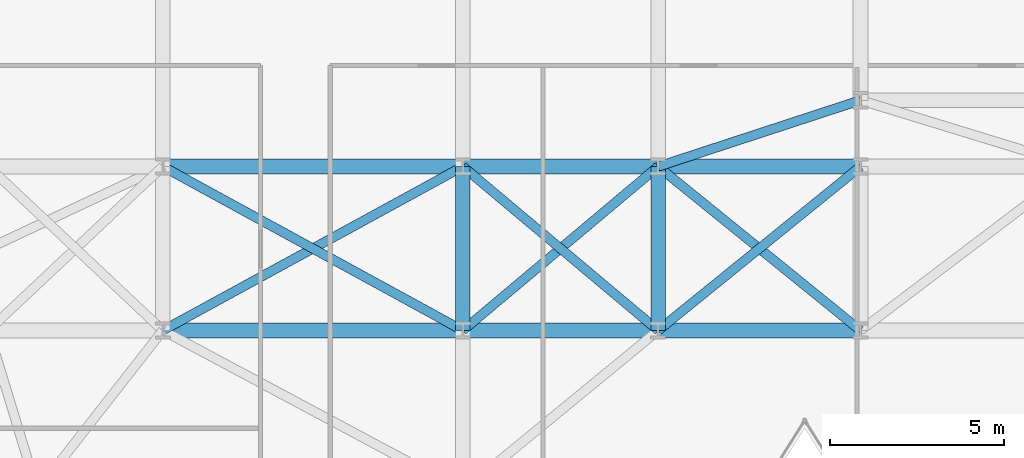
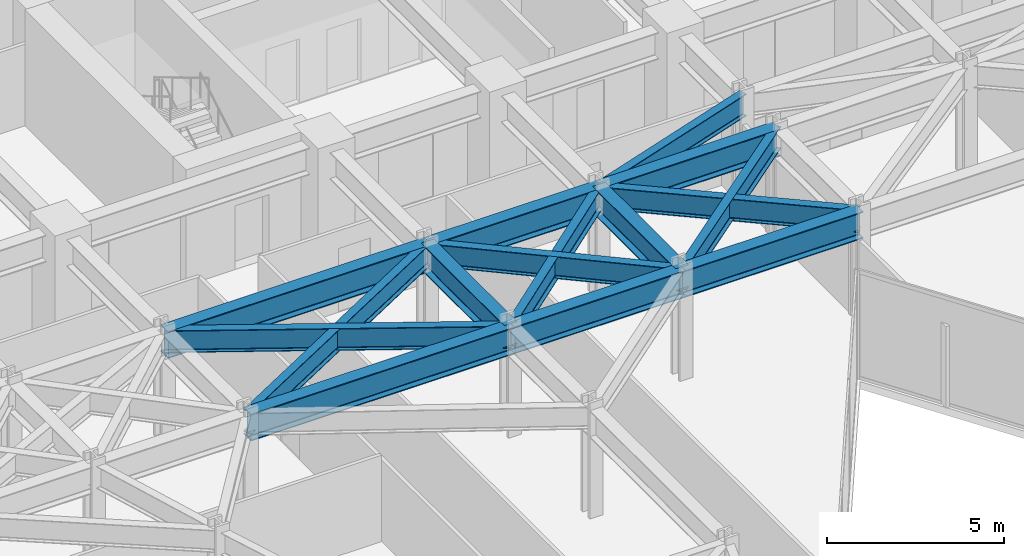
# One storey, part 11 of 25: 15 beams.
"""IFC4 building model written with IfcOpenShell, lengths in metres."""

from ifc_helpers import new_model, si_unit, direction, frame, origin, origin_2d, place, context, subcontext, project, spatial, i_section, extrude, material, material_profile, profile_set, type_object, element, save


model = new_model("IFC4")

# Units and contexts
model_context = context("Model", 3, precision=1e-05, world=origin(), true_north=direction((0.0, 1.0)))
body_context = subcontext(model_context, "Body", "Model", "MODEL_VIEW")
ifc_project = project(units=[si_unit("LENGTHUNIT", "METRE"), si_unit("AREAUNIT", "SQUARE_METRE"), si_unit("VOLUMEUNIT", "CUBIC_METRE"), si_unit("PLANEANGLEUNIT", "RADIAN"), si_unit("MASSUNIT", "GRAM", prefix="KILO")], contexts=[model_context])

# Site, building, storey
site_placement = place(None, origin())
site = spatial("IfcSite", under=ifc_project, at=site_placement, CompositionType="ELEMENT")
building_placement = place(site_placement, origin())
building = spatial("IfcBuilding", under=site, at=building_placement, Name="Kravanh Interchange Tower", CompositionType="ELEMENT")
storey_placement = place(building_placement, frame((0.0, 0.0, 73.5)))
storey = spatial("IfcBuildingStorey", under=building, at=storey_placement, Name="L17", CompositionType="ELEMENT", Elevation=73.5)

# Beams
ifc_material_1 = material(Name="Structural Steel S355", Category="steel")
ifc_material_profile_1 = material_profile(ifc_material_1, i_section(OverallWidth=0.41796875, OverallDepth=0.927001953125, WebThickness=0.019287109375, FlangeThickness=0.031982421875, FilletRadius=0.028076171875, at=origin_2d()), Name="W36X231")
ifc_profile_set_1 = profile_set([ifc_material_profile_1], Name="Structural Steel S355")
beam_type_1 = type_object("IfcBeamType", Name="Floor Beam W36X231 Structural Steel S355", PredefinedType="BEAM", material=ifc_profile_set_1)
beam_1_placement = place(storey_placement, frame((18.60009765625, 26.800048828125, 3.276611328125), z_axis=(1.0, 0.0, 0.0), x_axis=(0.0, 1.0, 0.0)))
element("IfcBeam", 1, at=beam_1_placement, inside=storey, type_object=beam_type_1, Name="L17 Primary Floor Girder 76", PredefinedType="BEAM", context=body_context, shape_type="SweptSolid", body=[
    extrude(i_section(OverallWidth=0.41796875, OverallDepth=0.927001953125, WebThickness=0.019287109375, FlangeThickness=0.031982421875, FilletRadius=0.028076171875, at=origin_2d()), origin(), (0.0, 0.0, 1.0), 8.599853515625),
])
beam_2_placement = place(storey_placement, frame((27.199951171875, 26.800048828125, 3.276611328125), z_axis=(0.0, 1.0, 0.0), x_axis=(-1.0, 0.0, 0.0)))
element("IfcBeam", 2, at=beam_2_placement, inside=storey, type_object=beam_type_1, Name="L17 Primary Floor Girder 78", PredefinedType="BEAM", context=body_context, shape_type="SweptSolid", body=[
    extrude(i_section(OverallWidth=0.41796875, OverallDepth=0.927001953125, WebThickness=0.019287109375, FlangeThickness=0.031982421875, FilletRadius=0.028076171875, at=origin_2d()), origin(), (0.0, 0.0, 1.0), 4.699951171875),
])
beam_3_placement = place(storey_placement, frame((27.199951171875, 26.800048828125, 3.276611328125), z_axis=(1.0, 0.0, 0.0), x_axis=(0.0, 1.0, 0.0)))
element("IfcBeam", 3, at=beam_3_placement, inside=storey, type_object=beam_type_1, Name="L17 Primary Floor Girder 79", PredefinedType="BEAM", context=body_context, shape_type="SweptSolid", body=[
    extrude(i_section(OverallWidth=0.41796875, OverallDepth=0.927001953125, WebThickness=0.019287109375, FlangeThickness=0.031982421875, FilletRadius=0.028076171875, at=origin_2d()), origin(), (0.0, 0.0, 1.0), 5.60009765625),
])
beam_4_placement = place(storey_placement, frame((32.800048828125, 26.800048828125, 3.276611328125), z_axis=(0.0, 1.0, 0.0), x_axis=(-1.0, 0.0, 0.0)))
element("IfcBeam", 4, at=beam_4_placement, inside=storey, type_object=beam_type_1, Name="L17 Primary Floor Girder 82", PredefinedType="BEAM", context=body_context, shape_type="SweptSolid", body=[
    extrude(i_section(OverallWidth=0.41796875, OverallDepth=0.927001953125, WebThickness=0.019287109375, FlangeThickness=0.031982421875, FilletRadius=0.028076171875, at=origin_2d()), origin(), (0.0, 0.0, 1.0), 4.699951171875),
])
beam_5_placement = place(storey_placement, frame((32.800048828125, 26.800048828125, 3.276611328125), z_axis=(1.0, 0.0, 0.0), x_axis=(0.0, 1.0, 0.0)))
element("IfcBeam", 5, at=beam_5_placement, inside=storey, type_object=beam_type_1, Name="L17 Primary Floor Girder 83", PredefinedType="BEAM", context=body_context, shape_type="SweptSolid", body=[
    extrude(i_section(OverallWidth=0.41796875, OverallDepth=0.927001953125, WebThickness=0.019287109375, FlangeThickness=0.031982421875, FilletRadius=0.028076171875, at=origin_2d()), origin(), (0.0, 0.0, 1.0), 5.800048828125),
])
beam_6_placement = place(storey_placement, frame((18.60009765625, 31.5, 3.276611328125), z_axis=(1.0, 0.0, 0.0), x_axis=(0.0, 1.0, 0.0)))
element("IfcBeam", 6, at=beam_6_placement, inside=storey, type_object=beam_type_1, Name="L17 Primary Floor Girder 106", PredefinedType="BEAM", context=body_context, shape_type="SweptSolid", body=[
    extrude(i_section(OverallWidth=0.41796875, OverallDepth=0.927001953125, WebThickness=0.019287109375, FlangeThickness=0.031982421875, FilletRadius=0.028076171875, at=origin_2d()), origin(), (0.0, 0.0, 1.0), 8.599853515625),
])
beam_7_placement = place(storey_placement, frame((27.199951171875, 31.5, 3.276611328125), z_axis=(1.0, 0.0, 0.0), x_axis=(0.0, 1.0, 0.0)))
element("IfcBeam", 7, at=beam_7_placement, inside=storey, type_object=beam_type_1, Name="L17 Primary Floor Girder 107", PredefinedType="BEAM", context=body_context, shape_type="SweptSolid", body=[
    extrude(i_section(OverallWidth=0.41796875, OverallDepth=0.927001953125, WebThickness=0.019287109375, FlangeThickness=0.031982421875, FilletRadius=0.028076171875, at=origin_2d()), origin(), (0.0, 0.0, 1.0), 5.60009765625),
])
beam_8_placement = place(storey_placement, frame((32.800048828125, 31.5, 3.276611328125), z_axis=(1.0, 0.0, 0.0), x_axis=(0.0, 1.0, 0.0)))
element("IfcBeam", 8, at=beam_8_placement, inside=storey, type_object=beam_type_1, Name="L17 Primary Floor Girder 109", PredefinedType="BEAM", context=body_context, shape_type="SweptSolid", body=[
    extrude(i_section(OverallWidth=0.41796875, OverallDepth=0.927001953125, WebThickness=0.019287109375, FlangeThickness=0.031982421875, FilletRadius=0.028076171875, at=origin_2d()), origin(), (0.0, 0.0, 1.0), 5.800048828125),
])
ifc_material_2 = material(Name="Structural Steel S355", Category="steel")
ifc_material_profile_2 = material_profile(ifc_material_2, i_section(OverallWidth=0.26708984375, OverallDepth=0.761962890625, WebThickness=0.014404296875, FlangeThickness=0.021484375, FilletRadius=0.02490234375, at=origin_2d()), Name="W30X116")
ifc_profile_set_2 = profile_set([ifc_material_profile_2], Name="Structural Steel S355")
beam_type_2 = type_object("IfcBeamType", Name="Floor Spandrel W30X116 Structural Steel S355", PredefinedType="SPANDREL", material=ifc_profile_set_2)
beam_9_placement = place(storey_placement, frame((18.60009765625, 26.800048828125, 3.35888671875), z_axis=(0.877503996342, 0.479569323877, 0.0), x_axis=(-0.479569323877, 0.877503996342, 0.0)))
element("IfcBeam", 9, at=beam_9_placement, inside=storey, type_object=beam_type_2, Name="L17 Perimeter Spandrel 77", PredefinedType="SPANDREL", context=body_context, shape_type="SweptSolid", body=[
    extrude(i_section(OverallWidth=0.26708984375, OverallDepth=0.761962890625, WebThickness=0.014404296875, FlangeThickness=0.021484375, FilletRadius=0.02490234375, at=origin_2d()), origin(), (0.0, 0.0, 1.0), 9.80029296875),
])
beam_10_placement = place(storey_placement, frame((27.199951171875, 26.800048828125, 3.35888671875), z_axis=(0.765983062929, 0.642860752657, 0.0), x_axis=(-0.642860752657, 0.765983062929, 0.0)))
element("IfcBeam", 10, at=beam_10_placement, inside=storey, type_object=beam_type_2, Name="L17 Perimeter Spandrel 80", PredefinedType="SPANDREL", context=body_context, shape_type="SweptSolid", body=[
    extrude(i_section(OverallWidth=0.26708984375, OverallDepth=0.761962890625, WebThickness=0.014404296875, FlangeThickness=0.021484375, FilletRadius=0.02490234375, at=origin_2d()), origin(), (0.0, 0.0, 1.0), 7.31103515625),
])
beam_11_placement = place(storey_placement, frame((27.199951171875, 26.800048828125, 3.35888671875), z_axis=(-0.877503996342, 0.479569323877, 0.0), x_axis=(-0.479569323877, -0.877503996342, 0.0)))
element("IfcBeam", 11, at=beam_11_placement, inside=storey, type_object=beam_type_2, Name="L17 Perimeter Spandrel 81", PredefinedType="SPANDREL", context=body_context, shape_type="SweptSolid", body=[
    extrude(i_section(OverallWidth=0.26708984375, OverallDepth=0.761962890625, WebThickness=0.014404296875, FlangeThickness=0.021484375, FilletRadius=0.02490234375, at=origin_2d()), origin(), (0.0, 0.0, 1.0), 9.80029296875),
])
beam_12_placement = place(storey_placement, frame((32.800048828125, 26.800048828125, 3.35888671875), z_axis=(-0.765983062929, 0.642860752657, 0.0), x_axis=(-0.642860752657, -0.765983062929, 0.0)))
element("IfcBeam", 12, at=beam_12_placement, inside=storey, type_object=beam_type_2, Name="L17 Perimeter Spandrel 84", PredefinedType="SPANDREL", context=body_context, shape_type="SweptSolid", body=[
    extrude(i_section(OverallWidth=0.26708984375, OverallDepth=0.761962890625, WebThickness=0.014404296875, FlangeThickness=0.021484375, FilletRadius=0.02490234375, at=origin_2d()), origin(), (0.0, 0.0, 1.0), 7.31103515625),
])
for number, where, z_axis, x_axis, name in (
    (13, (32.800048828125, 26.800048828125, 3.35888671875), (0.776938619557, 0.629576350764, 0.0), (-0.629576350764, 0.776938619557, 0.0), "L17 Perimeter Spandrel 85"),
    (14, (38.60009765625, 26.800048828125, 3.35888671875), (-0.776938619557, 0.629576350764, 0.0), (-0.629576350764, -0.776938619557, 0.0), "L17 Perimeter Spandrel 87"),
):
    element("IfcBeam", number, at=place(storey_placement, frame(where, z_axis=z_axis, x_axis=x_axis)), inside=storey, type_object=beam_type_2, Name=name, PredefinedType="SPANDREL", context=body_context, shape_type="SweptSolid", body=[
        extrude(i_section(OverallWidth=0.26708984375, OverallDepth=0.761962890625, WebThickness=0.014404296875, FlangeThickness=0.021484375, FilletRadius=0.02490234375, at=origin_2d()), origin(), (0.0, 0.0, 1.0), 7.46533203125),
    ])
beam_13_placement = place(storey_placement, frame((32.800048828125, 31.5, 3.35888671875), z_axis=(0.950314536578, 0.31129131303, 0.0), x_axis=(-0.31129131303, 0.950314536578, 0.0)))
element("IfcBeam", 15, at=beam_13_placement, inside=storey, type_object=beam_type_2, Name="L17 Perimeter Spandrel 110", PredefinedType="SPANDREL", context=body_context, shape_type="SweptSolid", body=[
    extrude(i_section(OverallWidth=0.26708984375, OverallDepth=0.761962890625, WebThickness=0.014404296875, FlangeThickness=0.021484375, FilletRadius=0.02490234375, at=origin_2d()), origin(), (0.0, 0.0, 1.0), 6.103271484375),
])

save(model, "model.ifc")
